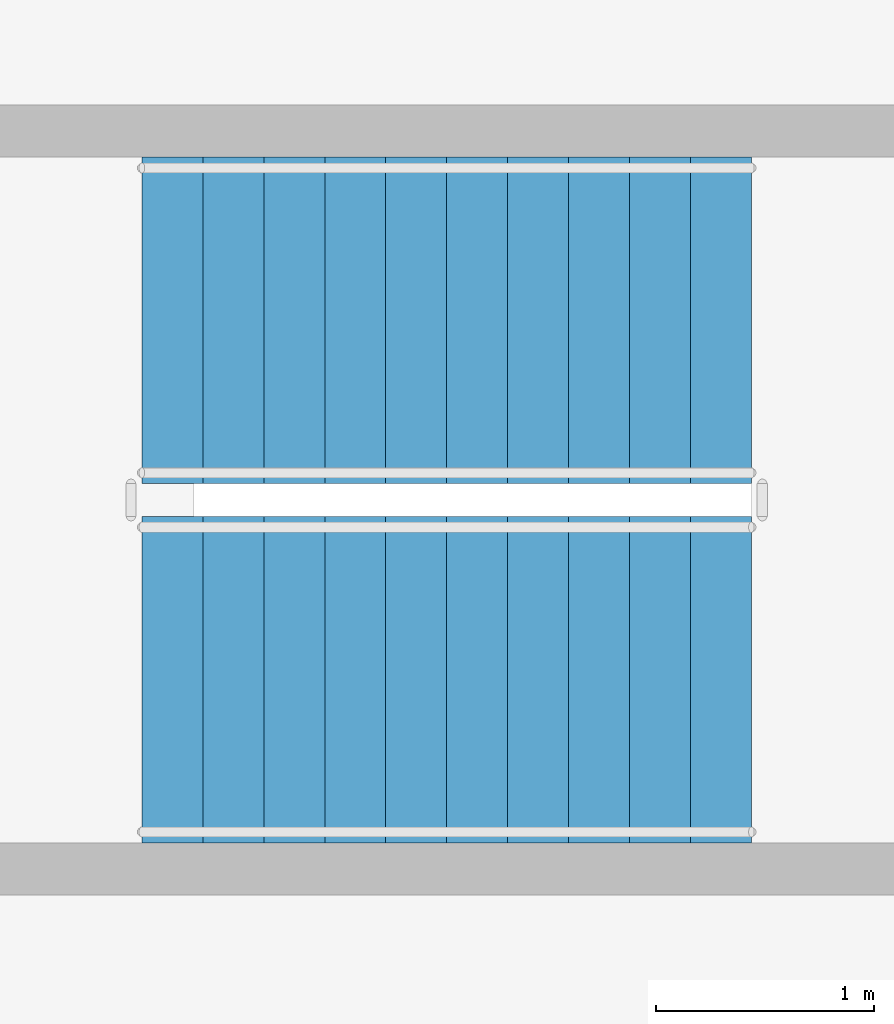
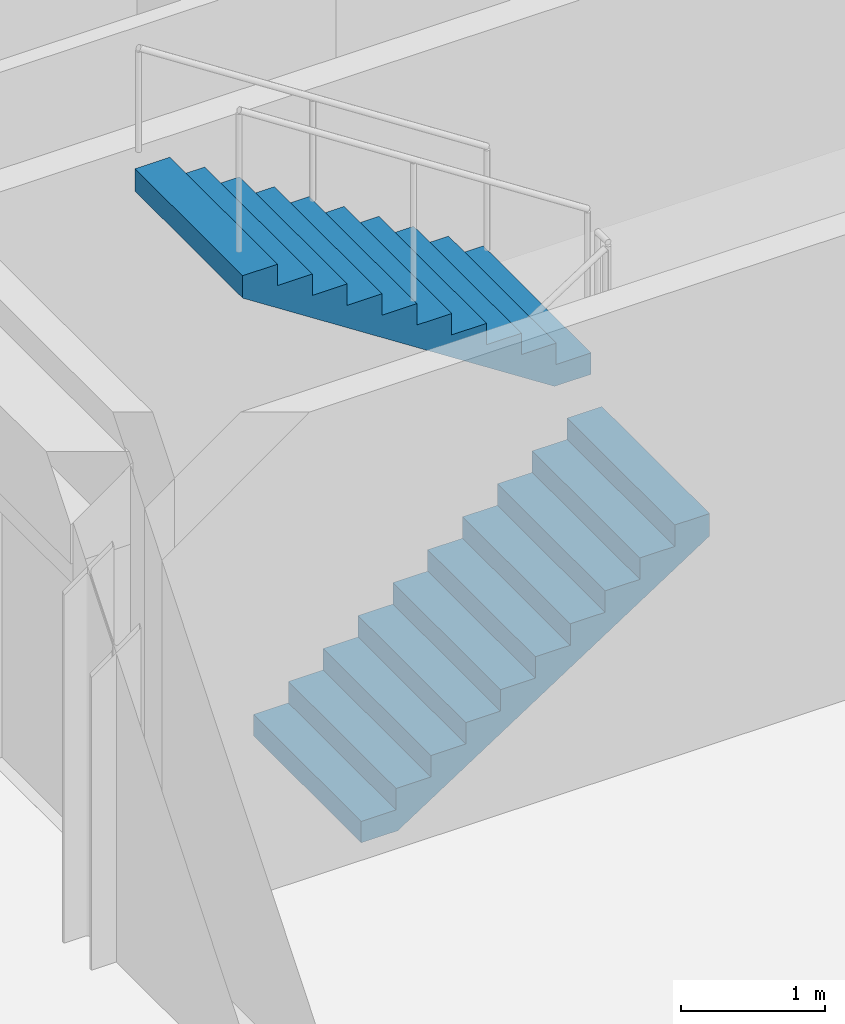
# One storey, part 7 of 11: 2 stair flights, 1 element without a shape of its own.
"""IFC4 building model written with IfcOpenShell, lengths in metres."""

from ifc_helpers import new_model, si_unit, direction, frame, origin, place, context, subcontext, project, spatial, polyline, outline, extrude, material, type_object, element, aggregate, save


model = new_model("IFC4")

# Units and contexts
model_context = context("Model", 3, precision=1e-05, world=origin(), true_north=direction((0.0, 1.0)))
body_context = subcontext(model_context, "Body", "Model", "MODEL_VIEW")
ifc_project = project(units=[si_unit("LENGTHUNIT", "METRE"), si_unit("AREAUNIT", "SQUARE_METRE"), si_unit("VOLUMEUNIT", "CUBIC_METRE"), si_unit("PLANEANGLEUNIT", "RADIAN"), si_unit("MASSUNIT", "GRAM", prefix="KILO")], contexts=[model_context])

# Site, building, storey
site_placement = place(None, origin())
site = spatial("IfcSite", under=ifc_project, at=site_placement, CompositionType="ELEMENT")
building_placement = place(site_placement, origin())
building = spatial("IfcBuilding", under=site, at=building_placement, Name="Qianrong Seaharbour Tower", CompositionType="ELEMENT")
storey_placement = place(building_placement, frame((0.0, 0.0, 265.800048828125)))
storey = spatial("IfcBuildingStorey", under=building, at=storey_placement, Name="L64", CompositionType="ELEMENT", Elevation=265.800048828125)

# Stair, stair flights
ifc_material = material(Name="Concrete C50/60", Category="concrete")
stair_type = type_object("IfcStairType", Name="STAIR-DOGLEG-1500-R22", PredefinedType="HALF_TURN_STAIR", material=ifc_material)
stair_placement = place(storey_placement, origin())
stair = element("IfcStair", 1, at=stair_placement, inside=storey, type_object=stair_type, Name="L64 Protected Escape Stair ST-1", PredefinedType="HALF_TURN_STAIR")
stair_flight_type = type_object("IfcStairFlightType", Name="FLIGHT-STR-1500-R22", PredefinedType="STRAIGHT", material=ifc_material)
stair_flight_1_placement = place(storey_placement, frame((42.699951171875, 44.949951171875, 0.0), z_axis=(0.0, 0.0, 1.0), x_axis=(1.0, 0.0, 0.0)))
stair_flight_1 = element("IfcStairFlight", 2, at=stair_flight_1_placement, type_object=stair_flight_type, Name="ST-1 flight 1", NumberOfRisers=11, NumberOfTreads=10, PredefinedType="STRAIGHT", RiserHeight=0.181818182, TreadLength=0.28, context=body_context, shape_type="SweptSolid", body=[
    extrude(outline(polyline([(0.0, 0.0), (0.0, 0.181884765625), (0.280029296875, 0.181884765625), (0.280029296875, 0.363525390625), (0.56005859375, 0.363525390625), (0.56005859375, 0.54541015625), (0.840087890625, 0.54541015625), (0.840087890625, 0.727294921875), (1.1201171875, 0.727294921875), (1.1201171875, 0.9091796875), (1.39990234375, 0.9091796875), (1.39990234375, 1.0908203125), (1.679931640625, 1.0908203125), (1.679931640625, 1.272705078125), (1.9599609375, 1.272705078125), (1.9599609375, 1.45458984375), (2.239990234375, 1.45458984375), (2.239990234375, 1.636474609375), (2.52001953125, 1.636474609375), (2.52001953125, 1.818115234375), (2.800048828125, 1.818115234375), (2.800048828125, 2.0), (2.800048828125, 1.62744140625), (0.293701171875, 0.0), (0.0, 0.0)])), frame((0.0, 0.75, 0.0), z_axis=(0.0, -1.0, 0.0), x_axis=(1.0, 0.0, 0.0)), (0.0, 0.0, 1.0), 1.5),
])
stair_flight_2_placement = place(storey_placement, frame((45.5, 46.60009765625, 2.0), z_axis=(0.0, 0.0, 1.0), x_axis=(-1.0, 0.0, 0.0)))
stair_flight_2 = element("IfcStairFlight", 3, at=stair_flight_2_placement, type_object=stair_flight_type, Name="ST-1 flight 2", NumberOfRisers=11, NumberOfTreads=10, PredefinedType="STRAIGHT", RiserHeight=0.181818182, TreadLength=0.28, context=body_context, shape_type="SweptSolid", body=[
    extrude(outline(polyline([(0.0, 0.0), (0.0, 0.181884765625), (0.280029296875, 0.181884765625), (0.280029296875, 0.363525390625), (0.56005859375, 0.363525390625), (0.56005859375, 0.54541015625), (0.840087890625, 0.54541015625), (0.840087890625, 0.727294921875), (1.1201171875, 0.727294921875), (1.1201171875, 0.9091796875), (1.39990234375, 0.9091796875), (1.39990234375, 1.0908203125), (1.679931640625, 1.0908203125), (1.679931640625, 1.272705078125), (1.9599609375, 1.272705078125), (1.9599609375, 1.45458984375), (2.239990234375, 1.45458984375), (2.239990234375, 1.636474609375), (2.52001953125, 1.636474609375), (2.52001953125, 1.818115234375), (2.800048828125, 1.818115234375), (2.800048828125, 2.0), (2.800048828125, 1.62744140625), (0.293701171875, 0.0), (0.0, 0.0)])), frame((0.0, 0.75, 0.0), z_axis=(0.0, -1.0, 0.0), x_axis=(1.0, 0.0, 0.0)), (0.0, 0.0, 1.0), 1.5),
])
aggregate(stair, [stair_flight_1, stair_flight_2])

save(model, "model.ifc")
